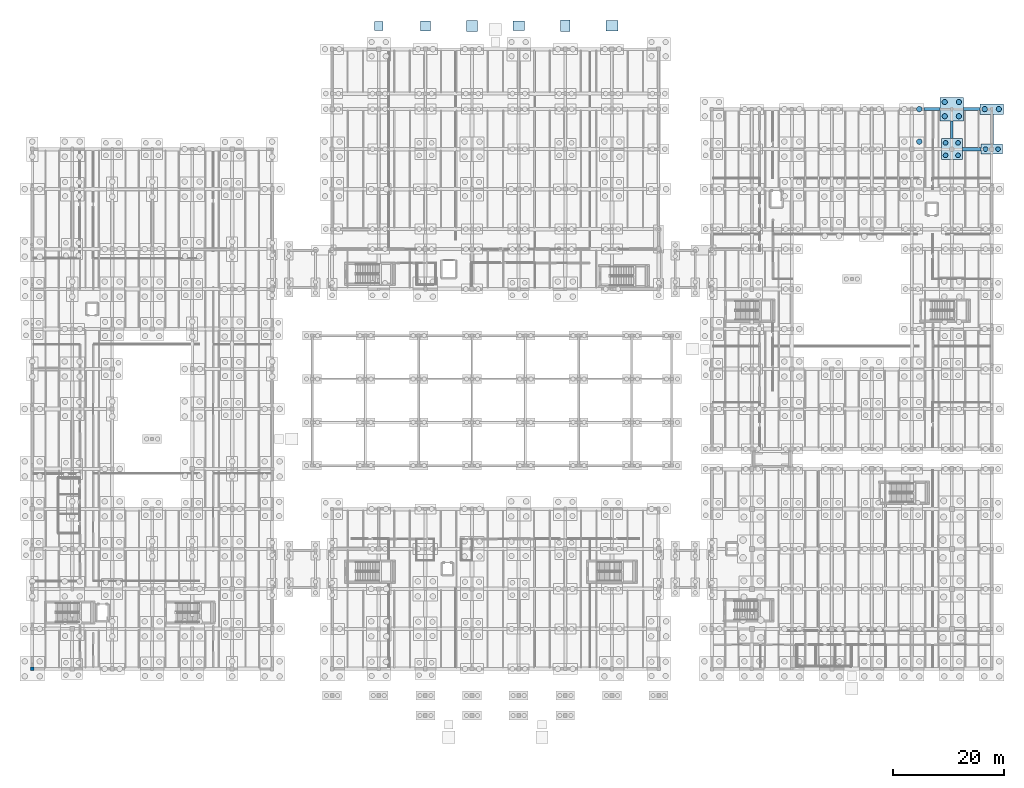
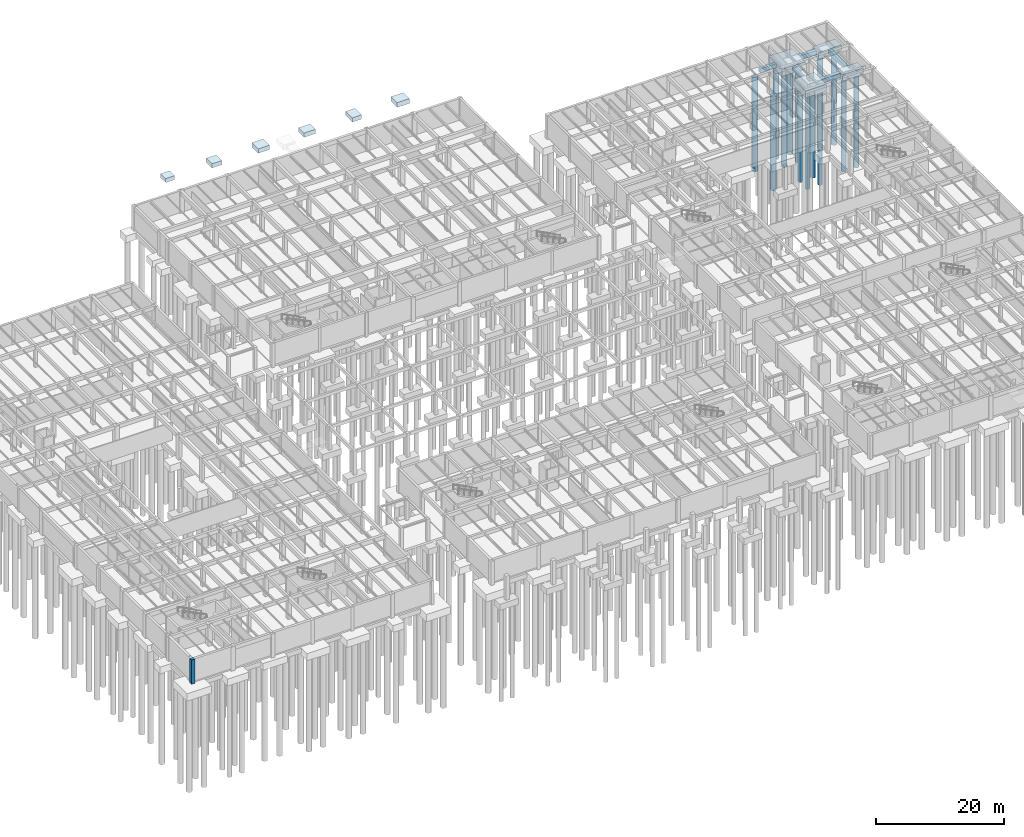
# One storey, part 17 of 63: 15 footings, 14 piles, 1 column.
"""IFC4 building model written with IfcOpenShell, lengths in metres."""

from ifc_helpers import new_model, si_unit, direction, frame, origin, origin_2d, place, context, subcontext, project, spatial, rectangle, circle, extrude, material, material_profile, profile_set, type_object, element, save


model = new_model("IFC4")

# Units and contexts
model_context = context("Model", 3, precision=1e-05, world=origin(), true_north=direction((0.0, 1.0)))
body_context = subcontext(model_context, "Body", "Model", "MODEL_VIEW")
ifc_project = project(units=[si_unit("LENGTHUNIT", "METRE"), si_unit("AREAUNIT", "SQUARE_METRE"), si_unit("VOLUMEUNIT", "CUBIC_METRE"), si_unit("PLANEANGLEUNIT", "RADIAN"), si_unit("MASSUNIT", "GRAM", prefix="KILO")], contexts=[model_context])

# Site, building, storey
site_placement = place(None, origin())
site = spatial("IfcSite", under=ifc_project, at=site_placement, CompositionType="ELEMENT")
building_placement = place(site_placement, origin())
building = spatial("IfcBuilding", under=site, at=building_placement, Name="Mazaris Harbour Polytechnic", CompositionType="ELEMENT")
storey_placement = place(building_placement, frame((0.0, 0.0, -4.5)))
storey = spatial("IfcBuildingStorey", under=building, at=storey_placement, Name="B1", CompositionType="ELEMENT", Elevation=-4.5)

# Piles
ifc_material_1 = material(Name="Concrete C35/45", Category="concrete")
ifc_material_profile_1 = material_profile(ifc_material_1, circle(Radius=0.5, at=origin_2d()), Name="DIA1000")
ifc_profile_set_1 = profile_set([ifc_material_profile_1], Name="Concrete C35/45")
pile_type_1 = type_object("IfcPileType", Name="Bored Pile 1000", PredefinedType="BORED", material=ifc_profile_set_1)
for number, where, z_axis, x_axis, name in (
    (1, (159.75, 102.14990234375, -1.719970703125), (0.0, 0.0, -1.0), (1.0, 0.0, 0.0), "Bored Pile BP-292-4"),
    (2, (159.75, 108.0, -1.6201171875), (0.0, 0.0, -1.0), (1.0, 0.0, 0.0), "Bored Pile BP-293-2"),
):
    element("IfcPile", number, at=place(storey_placement, frame(where, z_axis=z_axis, x_axis=x_axis)), inside=storey, type_object=pile_type_1, Name=name, PredefinedType="BORED", context=body_context, shape_type="SweptSolid", body=[
        extrude(circle(Radius=0.5, at=origin_2d()), origin(), (0.0, 0.0, 1.0), 18.0),
    ])
ifc_material_2 = material(Name="Concrete C35/45", Category="concrete")
ifc_material_profile_2 = material_profile(ifc_material_2, circle(Radius=0.425048828125, at=origin_2d()), Name="DIA850")
ifc_profile_set_2 = profile_set([ifc_material_profile_2], Name="Concrete C35/45")
pile_type_2 = type_object("IfcPileType", Name="Bored Pile 850", PredefinedType="BORED", material=ifc_profile_set_2)
for number, where, z_axis, x_axis, name in (
    (3, (164.473876953125, 99.673828125, -1.6201171875), (0.0, 0.0, -1.0), (1.0, 0.0, 0.0), "Bored Pile BP-302-1"),
    (4, (166.726318359375, 99.673828125, -1.6201171875), (0.0, 0.0, -1.0), (1.0, 0.0, 0.0), "Bored Pile BP-302-2"),
    (5, (164.473876953125, 101.92626953125, -1.6201171875), (0.0, 0.0, -1.0), (1.0, 0.0, 0.0), "Bored Pile BP-302-3"),
    (6, (166.726318359375, 101.92626953125, -1.6201171875), (0.0, 0.0, -1.0), (1.0, 0.0, 0.0), "Bored Pile BP-302-4"),
    (7, (171.673828125, 100.800048828125, -1.52001953125), (0.0, 0.0, -1.0), (1.0, 0.0, 0.0), "Bored Pile BP-312-1"),
    (8, (173.92626953125, 100.800048828125, -1.52001953125), (0.0, 0.0, -1.0), (1.0, 0.0, 0.0), "Bored Pile BP-312-2"),
):
    element("IfcPile", number, at=place(storey_placement, frame(where, z_axis=z_axis, x_axis=x_axis)), inside=storey, type_object=pile_type_2, Name=name, PredefinedType="BORED", context=body_context, shape_type="SweptSolid", body=[
        extrude(circle(Radius=0.425048828125, at=origin_2d()), origin(), (0.0, 0.0, 1.0), 18.0),
    ])
ifc_material_3 = material(Name="Concrete C35/45", Category="concrete")
ifc_material_profile_3 = material_profile(ifc_material_3, circle(Radius=0.47509765625, at=origin_2d()), Name="DIA950")
ifc_profile_set_3 = profile_set([ifc_material_profile_3], Name="Concrete C35/45")
pile_type_3 = type_object("IfcPileType", Name="Bored Pile 950", PredefinedType="BORED", material=ifc_profile_set_3)
for number, where, z_axis, x_axis, name in (
    (9, (164.324951171875, 106.72509765625, -1.669921875), (0.0, 0.0, -1.0), (1.0, 0.0, 0.0), "Bored Pile BP-303-1"),
    (10, (166.875, 106.72509765625, -1.669921875), (0.0, 0.0, -1.0), (1.0, 0.0, 0.0), "Bored Pile BP-303-2"),
    (11, (164.324951171875, 109.27490234375, -1.669921875), (0.0, 0.0, -1.0), (1.0, 0.0, 0.0), "Bored Pile BP-303-3"),
    (12, (166.875, 109.27490234375, -1.669921875), (0.0, 0.0, -1.0), (1.0, 0.0, 0.0), "Bored Pile BP-303-4"),
    (13, (171.52490234375, 108.0, -1.570068359375), (0.0, 0.0, -1.0), (1.0, 0.0, 0.0), "Bored Pile BP-313-1"),
    (14, (174.074951171875, 108.0, -1.570068359375), (0.0, 0.0, -1.0), (1.0, 0.0, 0.0), "Bored Pile BP-313-2"),
):
    element("IfcPile", number, at=place(storey_placement, frame(where, z_axis=z_axis, x_axis=x_axis)), inside=storey, type_object=pile_type_3, Name=name, PredefinedType="BORED", context=body_context, shape_type="SweptSolid", body=[
        extrude(circle(Radius=0.47509765625, at=origin_2d()), origin(), (0.0, 0.0, 1.0), 18.0),
    ])

# Footings
ifc_material_4 = material(Name="Concrete C35/45", Category="concrete")
footing_type_1 = type_object("IfcFootingType", Name="Pad Footing 1600x1600x750", PredefinedType="PAD_FOOTING", material=ifc_material_4)
footing_1_placement = place(storey_placement, frame((62.39990234375, 123.0, 3.75), z_axis=(0.0, 0.0, 1.0), x_axis=(1.0, 0.0, 0.0)))
element("IfcFooting", 15, at=footing_1_placement, inside=storey, type_object=footing_type_1, Name="Pad Footing PAD-01", PredefinedType="PAD_FOOTING", context=body_context, shape_type="SweptSolid", body=[
    extrude(rectangle(XDim=1.60009765625, YDim=1.60009765625, at=origin_2d()), origin(), (0.0, 0.0, 1.0), 0.75),
])
ifc_material_5 = material(Name="Concrete C35/45", Category="concrete")
footing_type_2 = type_object("IfcFootingType", Name="Pad Footing 1700x2100x800", PredefinedType="PAD_FOOTING", material=ifc_material_5)
footing_2_placement = place(storey_placement, frame((96.0, 123.0, 3.7001953125), z_axis=(0.0, 0.0, 1.0), x_axis=(1.0, 0.0, 0.0)))
element("IfcFooting", 16, at=footing_2_placement, inside=storey, type_object=footing_type_2, Name="Pad Footing PAD-05", PredefinedType="PAD_FOOTING", context=body_context, shape_type="SweptSolid", body=[
    extrude(rectangle(XDim=1.699951171875, YDim=2.10009765625, at=origin_2d()), origin(), (0.0, 0.0, 1.0), 0.800048828125),
])
ifc_material_6 = material(Name="Concrete C35/45", Category="concrete")
footing_type_3 = type_object("IfcFootingType", Name="Pad Footing 1800x1800x800", PredefinedType="PAD_FOOTING", material=ifc_material_6)
footing_3_placement = place(storey_placement, frame((70.800048828125, 123.0, 3.7001953125), z_axis=(0.0, 0.0, 1.0), x_axis=(1.0, 0.0, 0.0)))
element("IfcFooting", 17, at=footing_3_placement, inside=storey, type_object=footing_type_3, Name="Pad Footing PAD-02", PredefinedType="PAD_FOOTING", context=body_context, shape_type="SweptSolid", body=[
    extrude(rectangle(XDim=1.800048828125, YDim=1.800048828125, at=origin_2d()), origin(), (0.0, 0.0, 1.0), 0.800048828125),
])
ifc_material_7 = material(Name="Concrete C35/45", Category="concrete")
footing_type_4 = type_object("IfcFootingType", Name="Pad Footing 2000x2000x850", PredefinedType="PAD_FOOTING", material=ifc_material_7)
footing_4_placement = place(storey_placement, frame((79.199951171875, 123.0, 3.64990234375), z_axis=(0.0, 0.0, 1.0), x_axis=(1.0, 0.0, 0.0)))
element("IfcFooting", 18, at=footing_4_placement, inside=storey, type_object=footing_type_4, Name="Pad Footing PAD-03", PredefinedType="PAD_FOOTING", context=body_context, shape_type="SweptSolid", body=[
    extrude(rectangle(XDim=2.0, YDim=2.0, at=origin_2d()), origin(), (0.0, 0.0, 1.0), 0.85009765625),
])
ifc_material_8 = material(Name="Concrete C35/45", Category="concrete")
footing_type_5 = type_object("IfcFootingType", Name="Pad Footing 2100x1700x800", PredefinedType="PAD_FOOTING", material=ifc_material_8)
footing_5_placement = place(storey_placement, frame((87.60009765625, 123.0, 3.7001953125), z_axis=(0.0, 0.0, 1.0), x_axis=(1.0, 0.0, 0.0)))
element("IfcFooting", 19, at=footing_5_placement, inside=storey, type_object=footing_type_5, Name="Pad Footing PAD-04", PredefinedType="PAD_FOOTING", context=body_context, shape_type="SweptSolid", body=[
    extrude(rectangle(XDim=2.10009765625, YDim=1.699951171875, at=origin_2d()), origin(), (0.0, 0.0, 1.0), 0.800048828125),
])
ifc_material_9 = material(Name="Concrete C35/45", Category="concrete")
footing_type_6 = type_object("IfcFootingType", Name="Pad Footing 2200x1900x900", PredefinedType="PAD_FOOTING", material=ifc_material_9)
footing_6_placement = place(storey_placement, frame((104.39990234375, 123.0, 3.60009765625), z_axis=(0.0, 0.0, 1.0), x_axis=(1.0, 0.0, 0.0)))
element("IfcFooting", 20, at=footing_6_placement, inside=storey, type_object=footing_type_6, Name="Pad Footing PAD-06", PredefinedType="PAD_FOOTING", context=body_context, shape_type="SweptSolid", body=[
    extrude(rectangle(XDim=2.199951171875, YDim=1.89990234375, at=origin_2d()), origin(), (0.0, 0.0, 1.0), 0.89990234375),
])
ifc_material_10 = material(Name="Concrete C35/45", Category="concrete")
footing_type_7 = type_object("IfcFootingType", Name="Pile Cap 3800x1800x1200", PredefinedType="PILE_CAP", material=ifc_material_10)
footing_7_placement = place(storey_placement, frame((172.800048828125, 100.800048828125, -1.6201171875), z_axis=(0.0, 0.0, 1.0), x_axis=(1.0, 0.0, 0.0)))
element("IfcFooting", 21, at=footing_7_placement, inside=storey, type_object=footing_type_7, Name="Pile Cap CAP-312", PredefinedType="PILE_CAP", context=body_context, shape_type="SweptSolid", body=[
    extrude(rectangle(XDim=3.800048828125, YDim=1.800048828125, at=origin_2d()), origin(), (0.0, 0.0, 1.0), 1.199951171875),
])
ifc_material_11 = material(Name="Concrete C35/45", Category="concrete")
footing_type_8 = type_object("IfcFootingType", Name="Pile Cap 3800x3800x1300", PredefinedType="PILE_CAP", material=ifc_material_11)
footing_8_placement = place(storey_placement, frame((165.60009765625, 100.800048828125, -1.72021484375), z_axis=(0.0, 0.0, 1.0), x_axis=(1.0, 0.0, 0.0)))
element("IfcFooting", 22, at=footing_8_placement, inside=storey, type_object=footing_type_8, Name="Pile Cap CAP-302", PredefinedType="PILE_CAP", context=body_context, shape_type="SweptSolid", body=[
    extrude(rectangle(XDim=3.800048828125, YDim=3.800048828125, at=origin_2d()), origin(), (0.0, 0.0, 1.0), 1.300048828125),
])
ifc_material_12 = material(Name="Concrete C35/45", Category="concrete")
footing_type_9 = type_object("IfcFootingType", Name="Pile Cap 4200x1900x1250", PredefinedType="PILE_CAP", material=ifc_material_12)
footing_9_placement = place(storey_placement, frame((172.800048828125, 108.0, -1.669921875), z_axis=(0.0, 0.0, 1.0), x_axis=(1.0, 0.0, 0.0)))
element("IfcFooting", 23, at=footing_9_placement, inside=storey, type_object=footing_type_9, Name="Pile Cap CAP-313", PredefinedType="PILE_CAP", context=body_context, shape_type="SweptSolid", body=[
    extrude(rectangle(XDim=4.199951171875, YDim=1.89990234375, at=origin_2d()), origin(), (0.0, 0.0, 1.0), 1.25),
])
ifc_material_13 = material(Name="Concrete C35/45", Category="concrete")
footing_type_10 = type_object("IfcFootingType", Name="Pile Cap 4200x4200x1350", PredefinedType="PILE_CAP", material=ifc_material_13)
footing_10_placement = place(storey_placement, frame((165.60009765625, 108.0, -1.77001953125), z_axis=(0.0, 0.0, 1.0), x_axis=(1.0, 0.0, 0.0)))
element("IfcFooting", 24, at=footing_10_placement, inside=storey, type_object=footing_type_10, Name="Pile Cap CAP-303", PredefinedType="PILE_CAP", context=body_context, shape_type="SweptSolid", body=[
    extrude(rectangle(XDim=4.199951171875, YDim=4.199951171875, at=origin_2d()), origin(), (0.0, 0.0, 1.0), 1.35009765625),
])
ifc_material_14 = material(Name="Concrete C35/45", Category="concrete")
ifc_material_profile_4 = material_profile(ifc_material_14, rectangle(XDim=0.5, YDim=0.75, at=origin_2d()), Name="RECT500x750")
ifc_profile_set_4 = profile_set([ifc_material_profile_4], Name="Concrete C35/45")
footing_type_11 = type_object("IfcFootingType", Name="Seismic Tie Beam 500x750", PredefinedType="FOOTING_BEAM", material=ifc_profile_set_4)
footing_11_placement = place(storey_placement, frame((160.60009765625, 108.0, -0.8349609375), z_axis=(1.0, 0.0, 0.0), x_axis=(0.0, 1.0, 0.0)))
element("IfcFooting", 25, at=footing_11_placement, inside=storey, type_object=footing_type_11, Name="Seismic Tie Beam FTB-464", PredefinedType="FOOTING_BEAM", context=body_context, shape_type="SweptSolid", body=[
    extrude(rectangle(XDim=0.5, YDim=0.75, at=origin_2d()), origin(), (0.0, 0.0, 1.0), 2.89990234375),
])
footing_12_placement = place(storey_placement, frame((165.60009765625, 102.699951171875, -0.8349609375), z_axis=(0.0, 1.0, 0.0), x_axis=(-1.0, 0.0, 0.0)))
element("IfcFooting", 26, at=footing_12_placement, inside=storey, type_object=footing_type_11, Name="Seismic Tie Beam FTB-520", PredefinedType="FOOTING_BEAM", context=body_context, shape_type="SweptSolid", body=[
    extrude(rectangle(XDim=0.5, YDim=0.75, at=origin_2d()), origin(), (0.0, 0.0, 1.0), 3.199951171875),
])
ifc_material_15 = material(Name="Concrete C35/45", Category="concrete")
ifc_material_profile_5 = material_profile(ifc_material_15, rectangle(XDim=0.550048828125, YDim=0.800048828125, at=origin_2d()), Name="RECT550x800")
ifc_profile_set_5 = profile_set([ifc_material_profile_5], Name="Concrete C35/45")
footing_type_12 = type_object("IfcFootingType", Name="Seismic Tie Beam 550x800", PredefinedType="FOOTING_BEAM", material=ifc_profile_set_5)
footing_13_placement = place(storey_placement, frame((167.699951171875, 108.0, -0.860107421875), z_axis=(1.0, 0.0, 0.0), x_axis=(0.0, 1.0, 0.0)))
element("IfcFooting", 27, at=footing_13_placement, inside=storey, type_object=footing_type_12, Name="Seismic Tie Beam FTB-465", PredefinedType="FOOTING_BEAM", context=body_context, shape_type="SweptSolid", body=[
    extrude(rectangle(XDim=0.550048828125, YDim=0.800048828125, at=origin_2d()), origin(), (0.0, 0.0, 1.0), 3.0),
])
footing_14_placement = place(storey_placement, frame((172.800048828125, 101.699951171875, -0.860107421875), z_axis=(0.0, 1.0, 0.0), x_axis=(-1.0, 0.0, 0.0)))
element("IfcFooting", 28, at=footing_14_placement, inside=storey, type_object=footing_type_12, Name="Seismic Tie Beam FTB-529", PredefinedType="FOOTING_BEAM", context=body_context, shape_type="SweptSolid", body=[
    extrude(rectangle(XDim=0.550048828125, YDim=0.800048828125, at=origin_2d()), origin(), (0.0, 0.0, 1.0), 5.35009765625),
])
ifc_material_16 = material(Name="Concrete C35/45", Category="concrete")
ifc_material_profile_6 = material_profile(ifc_material_16, rectangle(XDim=0.60009765625, YDim=0.85009765625, at=origin_2d()), Name="RECT600x850")
ifc_profile_set_6 = profile_set([ifc_material_profile_6], Name="Concrete C35/45")
footing_type_13 = type_object("IfcFootingType", Name="Seismic Tie Beam 600x850", PredefinedType="FOOTING_BEAM", material=ifc_profile_set_6)
footing_15_placement = place(storey_placement, frame((167.5, 100.800048828125, -0.885009765625), z_axis=(1.0, 0.0, 0.0), x_axis=(0.0, 1.0, 0.0)))
element("IfcFooting", 29, at=footing_15_placement, inside=storey, type_object=footing_type_13, Name="Seismic Tie Beam FTB-458", PredefinedType="FOOTING_BEAM", context=body_context, shape_type="SweptSolid", body=[
    extrude(rectangle(XDim=0.60009765625, YDim=0.85009765625, at=origin_2d()), origin(), (0.0, 0.0, 1.0), 3.39990234375),
])

# Column
ifc_material_17 = material(Name="Concrete C40/50", Category="concrete")
ifc_material_profile_7 = material_profile(ifc_material_17, rectangle(XDim=0.60009765625, YDim=0.60009765625, at=origin_2d()), Name="RECT600x600")
ifc_profile_set_7 = profile_set([ifc_material_profile_7], Name="Concrete C40/50")
column_type = type_object("IfcColumnType", Name="RC Column 600x600", PredefinedType="COLUMN", material=ifc_profile_set_7)
column_placement = place(storey_placement, frame((0.0, 7.199951171875, -0.419921875), z_axis=(0.0, 0.0, 1.0), x_axis=(1.0, 0.0, 0.0)))
element("IfcColumn", 30, at=column_placement, inside=storey, type_object=column_type, Name="V4 B1 Column 552", PredefinedType="COLUMN", context=body_context, shape_type="SweptSolid", body=[
    extrude(rectangle(XDim=0.60009765625, YDim=0.60009765625, at=origin_2d()), origin(), (0.0, 0.0, 1.0), 4.599853515625),
])

save(model, "model.ifc")
